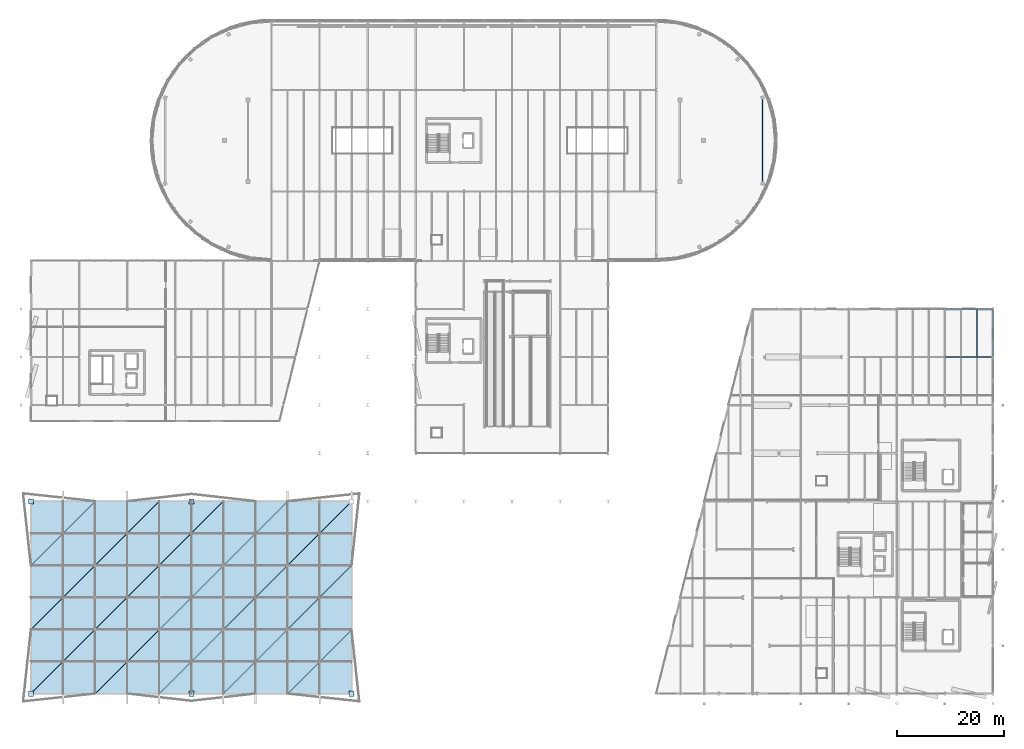
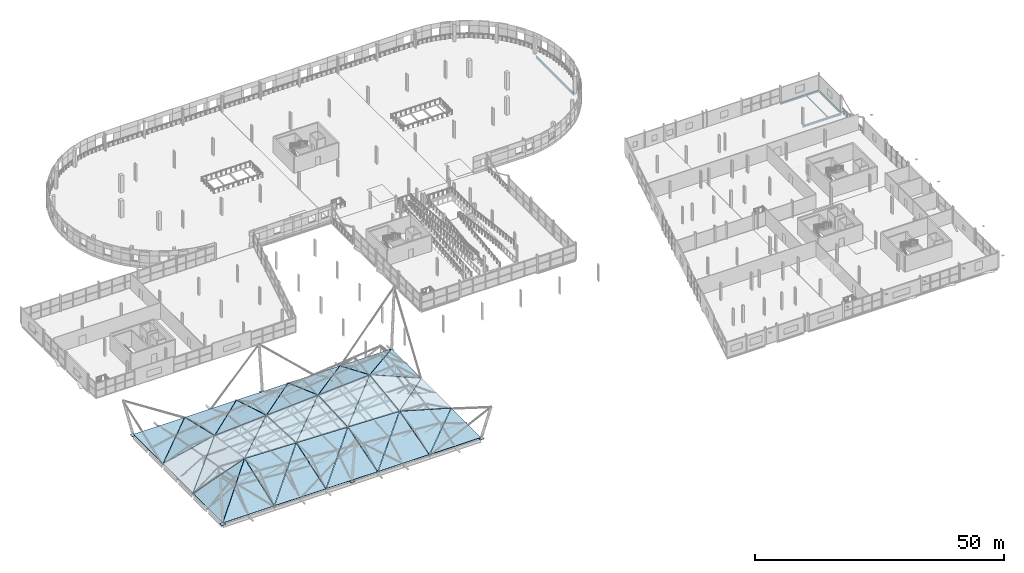
# One storey, part 99 of 132: 30 slabs, 5 beams, 5 plates.
"""IFC4 building model written with IfcOpenShell, lengths in metres."""

from ifc_helpers import new_model, si_unit, direction, frame, origin, origin_2d, place, context, subcontext, project, spatial, polyline, rectangle, i_section, outline, extrude, material, layer, layer_set, material_profile, profile_set, type_object, element, save


model = new_model("IFC4")

# Units and contexts
model_context = context("Model", 3, precision=1e-05, world=origin(), true_north=direction((0.0, 1.0)))
body_context = subcontext(model_context, "Body", "Model", "MODEL_VIEW")
ifc_project = project(units=[si_unit("LENGTHUNIT", "METRE"), si_unit("AREAUNIT", "SQUARE_METRE"), si_unit("VOLUMEUNIT", "CUBIC_METRE"), si_unit("PLANEANGLEUNIT", "RADIAN"), si_unit("MASSUNIT", "GRAM", prefix="KILO")], contexts=[model_context])

# Site, building, storey
site_placement = place(None, origin())
site = spatial("IfcSite", under=ifc_project, at=site_placement, CompositionType="ELEMENT")
building_placement = place(site_placement, origin())
building = spatial("IfcBuilding", under=site, at=building_placement, Name="Deido Ridge Mobility Hub", CompositionType="ELEMENT")
storey_placement = place(building_placement, frame((0.0, 0.0, 8.39990234375)))
storey = spatial("IfcBuildingStorey", under=building, at=storey_placement, Name="L02", CompositionType="ELEMENT", Elevation=8.39990234375)

# Beams
ifc_material_1 = material(Name="Steel S355J2 EN 10025-2", Category="steel")
ifc_material_profile_1 = material_profile(ifc_material_1, i_section(OverallWidth=0.199951171875, OverallDepth=0.5, WebThickness=0.01025390625, FlangeThickness=0.01611328125, FilletRadius=0.02099609375, at=origin_2d()), Name="IPE 500")
ifc_profile_set_1 = profile_set([ifc_material_profile_1], Name="Steel S355J2 EN 10025-2")
beam_type_1 = type_object("IfcBeamType", Name="BM-IPE500", PredefinedType="BEAM", material=ifc_profile_set_1)
beam_1_placement = place(storey_placement, frame((171.007080078125, 63.0, -0.5048828125), z_axis=(1.0, 0.0, 0.0), x_axis=(0.0, 1.0, 0.0)))
element("IfcBeam", 1, at=beam_1_placement, inside=storey, type_object=beam_type_1, Name="Floor beam B3", PredefinedType="BEAM", context=body_context, shape_type="SweptSolid", body=[
    extrude(i_section(OverallWidth=0.199951171875, OverallDepth=0.5, WebThickness=0.01025390625, FlangeThickness=0.01611328125, FilletRadius=0.02099609375, at=origin_2d()), origin(), (0.0, 0.0, 1.0), 8.98583984375),
])
ifc_material_profile_2 = material_profile(ifc_material_1, i_section(OverallWidth=0.219970703125, OverallDepth=0.60009765625, WebThickness=0.011962890625, FlangeThickness=0.01904296875, FilletRadius=0.02392578125, at=origin_2d()), Name="IPE 600")
ifc_profile_set_2 = profile_set([ifc_material_profile_2], Name="Steel S355J2 EN 10025-2")
beam_type_2 = type_object("IfcBeamType", Name="BM-IPE600", PredefinedType="BEAM", material=ifc_profile_set_2)
beam_2_placement = place(storey_placement, frame((136.889892578125, 95.8505859375, -0.554931640625), z_axis=(0.0, 1.0, 0.0), x_axis=(-1.0, 0.0, 0.0)))
element("IfcBeam", 2, at=beam_2_placement, inside=storey, type_object=beam_type_2, Name="Floor beam B1", PredefinedType="BEAM", context=body_context, shape_type="SweptSolid", body=[
    extrude(i_section(OverallWidth=0.219970703125, OverallDepth=0.60009765625, WebThickness=0.011962890625, FlangeThickness=0.01904296875, FilletRadius=0.02392578125, at=origin_2d()), origin(), (0.0, 0.0, 1.0), 15.298828125),
])
ifc_material_profile_3 = material_profile(ifc_material_1, i_section(OverallWidth=0.135009765625, OverallDepth=0.27001953125, WebThickness=0.006591796875, FlangeThickness=0.01025390625, FilletRadius=0.014892578125, at=origin_2d()), Name="IPE 270")
ifc_profile_set_3 = profile_set([ifc_material_profile_3], Name="Steel S355J2 EN 10025-2")
beam_type_3 = type_object("IfcBeamType", Name="JST-IPE270", PredefinedType="JOIST", material=ifc_profile_set_3)
beam_3_placement = place(storey_placement, frame((177.0, 63.10009765625, -0.389892578125), z_axis=(0.0, 1.0, 0.0), x_axis=(-1.0, 0.0, 0.0)))
element("IfcBeam", 3, at=beam_3_placement, inside=storey, type_object=beam_type_3, Name="Composite joist J4", PredefinedType="JOIST", context=body_context, shape_type="SweptSolid", body=[
    extrude(i_section(OverallWidth=0.135009765625, OverallDepth=0.27001953125, WebThickness=0.006591796875, FlangeThickness=0.01025390625, FilletRadius=0.014892578125, at=origin_2d()), origin(), (0.0, 0.0, 1.0), 8.75),
])
ifc_material_profile_4 = material_profile(ifc_material_1, i_section(OverallWidth=0.300048828125, OverallDepth=0.300048828125, WebThickness=0.010986328125, FlangeThickness=0.01904296875, FilletRadius=0.027099609375, at=origin_2d()), Name="HEB 300")
ifc_profile_set_4 = profile_set([ifc_material_profile_4], Name="Steel S355J2 EN 10025-2")
beam_type_4 = type_object("IfcBeamType", Name="SPD-HEB300", PredefinedType="SPANDREL", material=ifc_profile_set_4)
beam_4_placement = place(storey_placement, frame((171.006103515625, 72.0, -0.40478515625), z_axis=(1.0, 0.0, 0.0), x_axis=(0.0, 1.0, 0.0)))
element("IfcBeam", 4, at=beam_4_placement, inside=storey, type_object=beam_type_4, Name="Floor beam SP1", PredefinedType="SPANDREL", context=body_context, shape_type="SweptSolid", body=[
    extrude(i_section(OverallWidth=0.300048828125, OverallDepth=0.300048828125, WebThickness=0.010986328125, FlangeThickness=0.01904296875, FilletRadius=0.027099609375, at=origin_2d()), origin(), (0.0, 0.0, 1.0), 8.98779296875),
])
beam_5_placement = place(storey_placement, frame((180.0, 63.22509765625, -0.40478515625), z_axis=(0.0, 1.0, 0.0), x_axis=(-1.0, 0.0, 0.0)))
element("IfcBeam", 5, at=beam_5_placement, inside=storey, type_object=beam_type_4, Name="Floor beam SP1", PredefinedType="SPANDREL", context=body_context, shape_type="SweptSolid", body=[
    extrude(i_section(OverallWidth=0.300048828125, OverallDepth=0.300048828125, WebThickness=0.010986328125, FlangeThickness=0.01904296875, FilletRadius=0.027099609375, at=origin_2d()), origin(), (0.0, 0.0, 1.0), 8.594970703125),
])

# Plates
ifc_layer_1 = layer(ifc_material_1, 0.0400390625, Name="Steel S355J2 EN 10025-2")
ifc_layer_set_1 = layer_set([ifc_layer_1], Name="Steel S355J2 EN 10025-2")
plate_type = type_object("IfcPlateType", Name="PLT-SHT-40", PredefinedType="SHEET", material=ifc_layer_set_1)
for number, where, z_axis, x_axis, name in (
    (6, (0.0, 0.0, 0.0), (0.0, 0.0, 1.0), (1.0, 0.0, 0.0), "Roof mast M1 base plate"),
    (7, (60.0, 0.0, 0.0), (0.0, 0.0, 1.0), (1.0, 0.0, 0.0), "Roof mast M2 base plate"),
    (8, (0.0, 36.0, 0.0), (0.0, 0.0, 1.0), (1.0, 0.0, 0.0), "Roof mast M4 base plate"),
    (9, (30.0, 0.0, 0.0), (0.0, 0.0, 1.0), (1.0, 0.0, 0.0), "Roof mast M5 base plate"),
    (10, (30.0, 36.0, 0.0), (0.0, 0.0, 1.0), (1.0, 0.0, 0.0), "Roof mast M6 base plate"),
):
    element("IfcPlate", number, at=place(storey_placement, frame(where, z_axis=z_axis, x_axis=x_axis)), inside=storey, type_object=plate_type, Name=name, PredefinedType="SHEET", context=body_context, shape_type="SweptSolid", body=[
        extrude(rectangle(XDim=0.949951171875, YDim=0.949951171875, at=origin_2d()), origin(), (0.0, 0.0, 1.0), 0.0400390625),
    ])

# Slabs
ifc_material_2 = material(Name="Concrete C35/45", Category="concrete")
ifc_layer_2 = layer(ifc_material_2, 0.1298828125, Name="Concrete C35/45")
ifc_layer_set_2 = layer_set([ifc_layer_2], Name="Concrete C35/45")
slab_type = type_object("IfcSlabType", Name="SLB-ROOF-130", PredefinedType="ROOF", material=ifc_layer_set_2)
slab_1_placement = place(storey_placement, frame((0.095947265625, 0.048095703125, 0.232666015625), z_axis=(0.0, -0.344951962748, 0.938620340391), x_axis=(1.0, 0.0, 0.0)))
element("IfcSlab", 11, at=slab_1_placement, inside=storey, type_object=slab_type, Name="Bus hall saddle roof facet 1-1-1", PredefinedType="ROOF", context=body_context, shape_type="SweptSolid", body=[
    extrude(outline(polyline([(0.0, 0.0), (11.85595703125, 0.0), (11.85595703125, 12.631259435851183), (0.0, 0.0)])), origin(), (0.0, 0.0, -1.0), 0.1298828125),
])
slab_2_placement = place(storey_placement, frame((0.048095703125, 0.095947265625, 0.232666015625), z_axis=(-0.344951962748, 0.0, 0.938620340391), x_axis=(0.684375767397, 0.684375767397, 0.251514647682)))
element("IfcSlab", 12, at=slab_2_placement, inside=storey, type_object=slab_type, Name="Bus hall saddle roof facet 1-1-2", PredefinedType="ROOF", context=body_context, shape_type="SweptSolid", body=[
    extrude(outline(polyline([(0.0, 0.0), (17.32375340573243, 1.1102230246251565e-15), (8.113929691491325, 8.644527869605245), (0.0, 0.0)])), origin(), (0.0, 0.0, -1.0), 0.1298828125),
])
slab_3_placement = place(storey_placement, frame((0.095947265625, 12.048095703125, 0.243896484375), z_axis=(-0.342132122529, 0.127221156848, 0.930999671313), x_axis=(0.938626598371, 0.0, 0.344934934198)))
element("IfcSlab", 13, at=slab_3_placement, inside=storey, type_object=slab_type, Name="Bus hall saddle roof facet 1-2-1", PredefinedType="ROOF", context=body_context, shape_type="SweptSolid", body=[
    extrude(outline(polyline([(0.0, 0.0), (12.631175221142076, 0.0), (12.072340205678465, 11.953083294847861), (0.0, 0.0)])), origin(), (0.0, 0.0, -1.0), 0.1298828125),
])
slab_4_placement = place(storey_placement, frame((0.048095703125, 12.095947265625, 0.226318359375), z_axis=(-0.224904933779, 0.0, 0.974380711407), x_axis=(0.697872713296, 0.697872713296, 0.161081817951)))
element("IfcSlab", 14, at=slab_4_placement, inside=storey, type_object=slab_type, Name="Bus hall saddle roof facet 1-2-2", PredefinedType="ROOF", context=body_context, shape_type="SweptSolid", body=[
    extrude(outline(polyline([(0.0, 0.0), (16.98870983973417, 9.992007221626409e-16), (8.273948902116619, 8.491494962137676), (0.0, 0.0)])), origin(), (0.0, 0.0, -1.0), 0.1298828125),
])
slab_5_placement = place(storey_placement, frame((0.095947265625, 24.048095703125, 0.226318359375), z_axis=(-0.219423913989, 0.219423913989, 0.950634678486), x_axis=(0.974380711407, 0.0, 0.224904933779)))
element("IfcSlab", 15, at=slab_5_placement, inside=storey, type_object=slab_type, Name="Bus hall saddle roof facet 1-3-1", PredefinedType="ROOF", context=body_context, shape_type="SweptSolid", body=[
    extrude(outline(polyline([(0.0, 0.0), (12.16768445070114, 1.1102230246251565e-16), (11.552215846520134, 12.152108594359325), (0.0, 0.0)])), origin(), (0.0, 0.0, -1.0), 0.1298828125),
])
slab_6_placement = place(storey_placement, frame((0.048095703125, 24.095947265625, 0.215087890625), z_axis=(0.0, 0.0, 1.0), x_axis=(0.707106781187, 0.707106781187, 0.0)))
element("IfcSlab", 16, at=slab_6_placement, inside=storey, type_object=slab_type, Name="Bus hall saddle roof facet 1-3-2", PredefinedType="ROOF", context=body_context, shape_type="SweptSolid", body=[
    extrude(outline(polyline([(0.0, 0.0), (16.766855228506408, 0.0), (8.383427614253204, 8.383427614253204), (0.0, 0.0)])), origin(), (0.0, 0.0, -1.0), 0.1298828125),
])
slab_7_placement = place(storey_placement, frame((12.095947265625, 0.048095703125, 0.2314453125), z_axis=(0.0, -0.322128494987, 0.946695955794), x_axis=(1.0, 0.0, 0.0)))
element("IfcSlab", 17, at=slab_7_placement, inside=storey, type_object=slab_type, Name="Bus hall saddle roof facet 2-1-1", PredefinedType="ROOF", context=body_context, shape_type="SweptSolid", body=[
    extrude(outline(polyline([(0.0, 0.0), (11.85595703125, 0.0), (11.85595703125, 12.523510804797667), (0.0, 0.0)])), origin(), (0.0, 0.0, -1.0), 0.1298828125),
])
slab_8_placement = place(storey_placement, frame((12.048095703125, 0.095947265625, 0.2490234375), z_axis=(0.025543659815, -0.344839407506, 0.938314075603), x_axis=(0.687484968144, 0.687484968144, 0.233941952526)))
element("IfcSlab", 18, at=slab_8_placement, inside=storey, type_object=slab_type, Name="Bus hall saddle roof facet 2-1-2", PredefinedType="ROOF", context=body_context, shape_type="SweptSolid", body=[
    extrude(outline(polyline([(0.0, 0.0), (17.245405471563586, 4.440892098500626e-16), (9.170118908630462, 8.68663537495143), (0.0, 0.0)])), origin(), (0.0, 0.0, -1.0), 0.1298828125),
])
slab_9_placement = place(storey_placement, frame((12.095947265625, 12.048095703125, 4.620361328125), z_axis=(0.027184683847, 0.045486021687, 0.998595020414), x_axis=(0.999629661827, 0.0, -0.02721284982)))
element("IfcSlab", 19, at=slab_9_placement, inside=storey, type_object=slab_type, Name="Bus hall saddle roof facet 2-2-1", PredefinedType="ROOF", context=body_context, shape_type="SweptSolid", body=[
    extrude(outline(polyline([(0.0, 0.0), (11.860349371365329, -1.734723475976807e-18), (11.875045373269817, 11.868240954050446), (0.0, 0.0)])), origin(), (0.0, 0.0, -1.0), 0.1298828125),
])
slab_10_placement = place(storey_placement, frame((12.048095703125, 12.095947265625, 4.614990234375), z_axis=(-0.063182668671, 0.135141273597, 0.988809782795), x_axis=(0.706172444237, 0.706172444237, -0.051390252006)))
element("IfcSlab", 20, at=slab_10_placement, inside=storey, type_object=slab_type, Name="Bus hall saddle roof facet 2-2-2", PredefinedType="ROOF", context=body_context, shape_type="SweptSolid", body=[
    extrude(outline(polyline([(0.0, 0.0), (16.789039459141705, -3.7470027081099033e-16), (8.455620932517865, 8.467098830537829), (0.0, 0.0)])), origin(), (0.0, 0.0, -1.0), 0.1298828125),
])
slab_11_placement = place(storey_placement, frame((12.095947265625, 24.048095703125, 2.97705078125), z_axis=(-0.061176168209, 0.282183208369, 0.957408018223), x_axis=(0.99796477224, 0.0, 0.06376765142)))
element("IfcSlab", 21, at=slab_11_placement, inside=storey, type_object=slab_type, Name="Bus hall saddle roof facet 2-3-1", PredefinedType="ROOF", context=body_context, shape_type="SweptSolid", body=[
    extrude(outline(polyline([(0.0, 0.0), (11.880135813448113, -2.7755575615628914e-17), (11.65730710378615, 12.358187139836845), (0.0, 0.0)])), origin(), (0.0, 0.0, -1.0), 0.1298828125),
])
slab_12_placement = place(storey_placement, frame((12.048095703125, 24.095947265625, 2.962890625), z_axis=(0.0, 0.224904933779, 0.974380711407), x_axis=(0.697872713296, 0.697872713296, -0.161081817951)))
element("IfcSlab", 22, at=slab_12_placement, inside=storey, type_object=slab_type, Name="Bus hall saddle roof facet 2-3-2", PredefinedType="ROOF", context=body_context, shape_type="SweptSolid", body=[
    extrude(outline(polyline([(0.0, 0.0), (16.98870983973417, -9.992007221626409e-16), (8.714760937617552, 8.491494962137674), (0.0, 0.0)])), origin(), (0.0, 0.0, -1.0), 0.1298828125),
])
slab_13_placement = place(storey_placement, frame((24.095947265625, 0.048095703125, 0.22998046875), z_axis=(0.0, -0.298765057853, 0.954326694694), x_axis=(1.0, 0.0, 0.0)))
element("IfcSlab", 23, at=slab_13_placement, inside=storey, type_object=slab_type, Name="Bus hall saddle roof facet 3-1-1", PredefinedType="ROOF", context=body_context, shape_type="SweptSolid", body=[
    extrude(outline(polyline([(0.0, 0.0), (11.85595703125, 0.0), (11.85595703125, 12.423373565010346), (0.0, 0.0)])), origin(), (0.0, 0.0, -1.0), 0.1298828125),
])
slab_14_placement = place(storey_placement, frame((24.048095703125, 0.095947265625, 0.24658203125), z_axis=(0.025763284757, -0.322021571356, 0.946381720417), x_axis=(0.690395055851, 0.690395055851, 0.216123422409)))
element("IfcSlab", 24, at=slab_14_placement, inside=storey, type_object=slab_type, Name="Bus hall saddle roof facet 3-1-2", PredefinedType="ROOF", context=body_context, shape_type="SweptSolid", body=[
    extrude(outline(polyline([(0.0, 0.0), (17.172714275367767, 1.2212453270876722e-15), (9.057174837429594, 8.64904080474339), (0.0, 0.0)])), origin(), (0.0, 0.0, -1.0), 0.1298828125),
])
slab_15_placement = place(storey_placement, frame((24.095947265625, 12.048095703125, 4.298095703125), z_axis=(0.027184683847, -0.045486021687, 0.998595020414), x_axis=(0.999629661827, 0.0, -0.02721284982)))
element("IfcSlab", 25, at=slab_15_placement, inside=storey, type_object=slab_type, Name="Bus hall saddle roof facet 3-2-1", PredefinedType="ROOF", context=body_context, shape_type="SweptSolid", body=[
    extrude(outline(polyline([(0.0, 0.0), (11.860349371365329, 1.734723475976807e-18), (11.845653369460843, 11.868240954050444), (0.0, 0.0)])), origin(), (0.0, 0.0, -1.0), 0.1298828125),
])
slab_16_placement = place(storey_placement, frame((24.048095703125, 12.095947265625, 4.297119140625), z_axis=(-0.063681423794, 0.045410480152, 0.996936590038), x_axis=(0.707047412533, 0.707047412533, 0.012958119459)))
element("IfcSlab", 26, at=slab_16_placement, inside=storey, type_object=slab_type, Name="Bus hall saddle roof facet 3-2-2", PredefinedType="ROOF", context=body_context, shape_type="SweptSolid", body=[
    extrude(outline(polyline([(0.0, 0.0), (16.768263091114097, 1.5057399771478686e-15), (8.375725851367147, 8.408482370714248), (0.0, 0.0)])), origin(), (0.0, 0.0, -1.0), 0.1298828125),
])
slab_17_placement = place(storey_placement, frame((24.095947265625, 24.048095703125, 3.74072265625), z_axis=(-0.060019677781, 0.336938320075, 0.939611731911), x_axis=(0.997966079811, 0.0, 0.063747184621)))
element("IfcSlab", 27, at=slab_17_placement, inside=storey, type_object=slab_type, Name="Bus hall saddle roof facet 3-3-1", PredefinedType="ROOF", context=body_context, shape_type="SweptSolid", body=[
    extrude(outline(polyline([(0.0, 0.0), (11.880120247672227, 0.0), (11.609101333367304, 12.592268230647626), (0.0, 0.0)])), origin(), (0.0, 0.0, -1.0), 0.1298828125),
])
slab_18_placement = place(storey_placement, frame((24.048095703125, 24.095947265625, 3.723388671875), z_axis=(0.0, 0.282694560211, 0.959209979945), x_axis=(0.692235071331, 0.692235071331, -0.204012774204)))
element("IfcSlab", 28, at=slab_18_placement, inside=storey, type_object=slab_type, Name="Bus hall saddle roof facet 3-3-2", PredefinedType="ROOF", context=body_context, shape_type="SweptSolid", body=[
    extrude(outline(polyline([(0.0, 0.0), (17.12706784481711, 7.771561172376096e-16), (8.919958583590999, 8.556113294080614), (0.0, 0.0)])), origin(), (0.0, 0.0, -1.0), 0.1298828125),
])
slab_19_placement = place(storey_placement, frame((36.095947265625, 0.048095703125, 0.228759765625), z_axis=(0.0, -0.27483357089, 0.96149181396), x_axis=(1.0, 0.0, 0.0)))
element("IfcSlab", 29, at=slab_19_placement, inside=storey, type_object=slab_type, Name="Bus hall saddle roof facet 4-1-1", PredefinedType="ROOF", context=body_context, shape_type="SweptSolid", body=[
    extrude(outline(polyline([(0.0, 0.0), (11.85595703125, 0.0), (11.85595703125, 12.33079352222743), (0.0, 0.0)])), origin(), (0.0, 0.0, -1.0), 0.1298828125),
])
slab_20_placement = place(storey_placement, frame((36.048095703125, 0.095947265625, 0.243896484375), z_axis=(0.025970807383, -0.298664284906, 0.95400480192), x_axis=(0.69309124402, 0.69309124402, 0.198113742396)))
element("IfcSlab", 30, at=slab_20_placement, inside=storey, type_object=slab_type, Name="Bus hall saddle roof facet 4-1-2", PredefinedType="ROOF", context=body_context, shape_type="SweptSolid", body=[
    extrude(outline(polyline([(0.0, 0.0), (17.105910850190128, -1.1102230246251565e-16), (8.952592826595959, 8.613436736691137), (0.0, 0.0)])), origin(), (0.0, 0.0, -1.0), 0.1298828125),
])
slab_21_placement = place(storey_placement, frame((36.095947265625, 12.048095703125, 3.9755859375), z_axis=(0.026942080259, -0.135342652987, 0.990432476544), x_axis=(0.999630221574, 0.0, -0.027192280439)))
element("IfcSlab", 31, at=slab_21_placement, inside=storey, type_object=slab_type, Name="Bus hall saddle roof facet 4-2-1", PredefinedType="ROOF", context=body_context, shape_type="SweptSolid", body=[
    extrude(outline(polyline([(0.0, 0.0), (11.860342730114075, 0.0), (11.816288049206838, 11.966058499488014), (0.0, 0.0)])), origin(), (0.0, 0.0, -1.0), 0.1298828125),
])
slab_22_placement = place(storey_placement, frame((36.048095703125, 12.095947265625, 3.979248046875), z_axis=(-0.063701869652, -0.045410420777, 0.996935286509), x_axis=(0.704998673065, 0.704998673065, 0.077160494777)))
element("IfcSlab", 32, at=slab_22_placement, inside=storey, type_object=slab_type, Name="Bus hall saddle roof facet 4-2-2", PredefinedType="ROOF", context=body_context, shape_type="SweptSolid", body=[
    extrude(outline(polyline([(0.0, 0.0), (16.816991980583143, -1.942890293094024e-16), (8.400103656203937, 8.384128927974656), (0.0, 0.0)])), origin(), (0.0, 0.0, -1.0), 0.1298828125),
])
slab_23_placement = place(storey_placement, frame((36.095947265625, 24.048095703125, 4.50439453125), z_axis=(-0.058739491941, 0.38851004389, 0.919570344173), x_axis=(0.997966079811, 0.0, 0.063747184621)))
element("IfcSlab", 33, at=slab_23_placement, inside=storey, type_object=slab_type, Name="Bus hall saddle roof facet 4-3-1", PredefinedType="ROOF", context=body_context, shape_type="SweptSolid", body=[
    extrude(outline(polyline([(0.0, 0.0), (11.880120247672227, 5.551115123125783e-17), (11.560808483299073, 12.866707844432774), (0.0, 0.0)])), origin(), (0.0, 0.0, -1.0), 0.1298828125),
])
slab_24_placement = place(storey_placement, frame((36.048095703125, 24.095947265625, 4.48388671875), z_axis=(0.0, 0.337564026484, 0.941302569859), x_axis=(0.685413387191, 0.685413387191, -0.24579865199)))
element("IfcSlab", 34, at=slab_24_placement, inside=storey, type_object=slab_type, Name="Bus hall saddle roof facet 4-3-2", PredefinedType="ROOF", context=body_context, shape_type="SweptSolid", body=[
    extrude(outline(polyline([(0.0, 0.0), (17.297527671361237, 0.0), (9.171296004186539, 8.632964497682904), (0.0, 0.0)])), origin(), (0.0, 0.0, -1.0), 0.1298828125),
])
slab_25_placement = place(storey_placement, frame((48.095947265625, 0.048095703125, 0.215087890625), z_axis=(0.0, 0.0, 1.0), x_axis=(1.0, 0.0, 0.0)))
element("IfcSlab", 35, at=slab_25_placement, inside=storey, type_object=slab_type, Name="Bus hall saddle roof facet 5-1-1", PredefinedType="ROOF", context=body_context, shape_type="SweptSolid", body=[
    extrude(outline(polyline([(0.0, 0.0), (11.85595703125, 0.0), (11.85595703125, 11.85595703125), (0.0, 0.0)])), origin(), (0.0, 0.0, -1.0), 0.1298828125),
])
slab_26_placement = place(storey_placement, frame((48.048095703125, 0.095947265625, 0.228759765625), z_axis=(0.265007284103, -0.265007284103, 0.927115029942), x_axis=(0.707106781187, 0.707106781187, 0.0)))
element("IfcSlab", 36, at=slab_26_placement, inside=storey, type_object=slab_type, Name="Bus hall saddle roof facet 5-1-2", PredefinedType="ROOF", context=body_context, shape_type="SweptSolid", body=[
    extrude(outline(polyline([(0.0, 0.0), (16.766855228506408, 0.0), (8.383427614253204, 9.042489166395654), (0.0, 0.0)])), origin(), (0.0, 0.0, -1.0), 0.1298828125),
])
slab_27_placement = place(storey_placement, frame((48.095947265625, 12.048095703125, 3.61767578125), z_axis=(0.27483357089, 0.0, 0.96149181396), x_axis=(0.96149181396, 0.0, -0.27483357089)))
element("IfcSlab", 37, at=slab_27_placement, inside=storey, type_object=slab_type, Name="Bus hall saddle roof facet 5-2-1", PredefinedType="ROOF", context=body_context, shape_type="SweptSolid", body=[
    extrude(outline(polyline([(0.0, 0.0), (12.330793522227431, 0.0), (12.330793522227431, 11.85595703125), (0.0, 0.0)])), origin(), (0.0, 0.0, -1.0), 0.1298828125),
])
slab_28_placement = place(storey_placement, frame((48.048095703125, 12.095947265625, 3.637939453125), z_axis=(0.386150013877, -0.124908745594, 0.913939807677), x_axis=(0.69309124402, 0.69309124402, -0.198113742396)))
element("IfcSlab", 38, at=slab_28_placement, inside=storey, type_object=slab_type, Name="Bus hall saddle roof facet 5-2-2", PredefinedType="ROOF", context=body_context, shape_type="SweptSolid", body=[
    extrude(outline(polyline([(0.0, 0.0), (17.105910850190128, 8.881784197001252e-16), (7.896244161085573, 8.991029757989423), (0.0, 0.0)])), origin(), (0.0, 0.0, -1.0), 0.1298828125),
])
slab_29_placement = place(storey_placement, frame((48.095947265625, 24.048095703125, 5.244384765625), z_axis=(0.389182026837, 0.0, 0.921160870851), x_axis=(0.921160870851, 0.0, -0.389182026837)))
element("IfcSlab", 39, at=slab_29_placement, inside=storey, type_object=slab_type, Name="Bus hall saddle roof facet 5-3-1", PredefinedType="ROOF", context=body_context, shape_type="SweptSolid", body=[
    extrude(outline(polyline([(0.0, 0.0), (12.870669398164768, 0.0), (12.870669398164768, 11.855957031250002), (0.0, 0.0)])), origin(), (0.0, 0.0, -1.0), 0.1298828125),
])
slab_30_placement = place(storey_placement, frame((48.048095703125, 24.095947265625, 5.244384765625), z_axis=(0.0, 0.389182026837, 0.921160870851), x_axis=(0.677518825028, 0.677518825028, -0.286245495101)))
element("IfcSlab", 40, at=slab_30_placement, inside=storey, type_object=slab_type, Name="Bus hall saddle roof facet 5-3-2", PredefinedType="ROOF", context=body_context, shape_type="SweptSolid", body=[
    extrude(outline(polyline([(0.0, 0.0), (17.4990813439935, -2.220446049250313e-16), (9.466447266599811, 8.720120807967055), (0.0, 0.0)])), origin(), (0.0, 0.0, -1.0), 0.1298828125),
])

save(model, "model.ifc")
